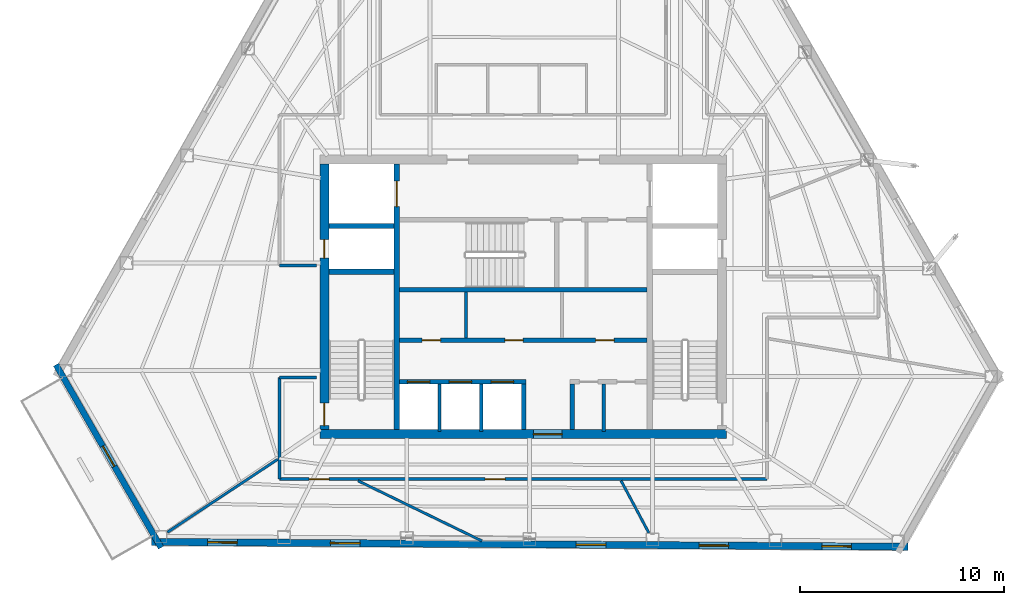
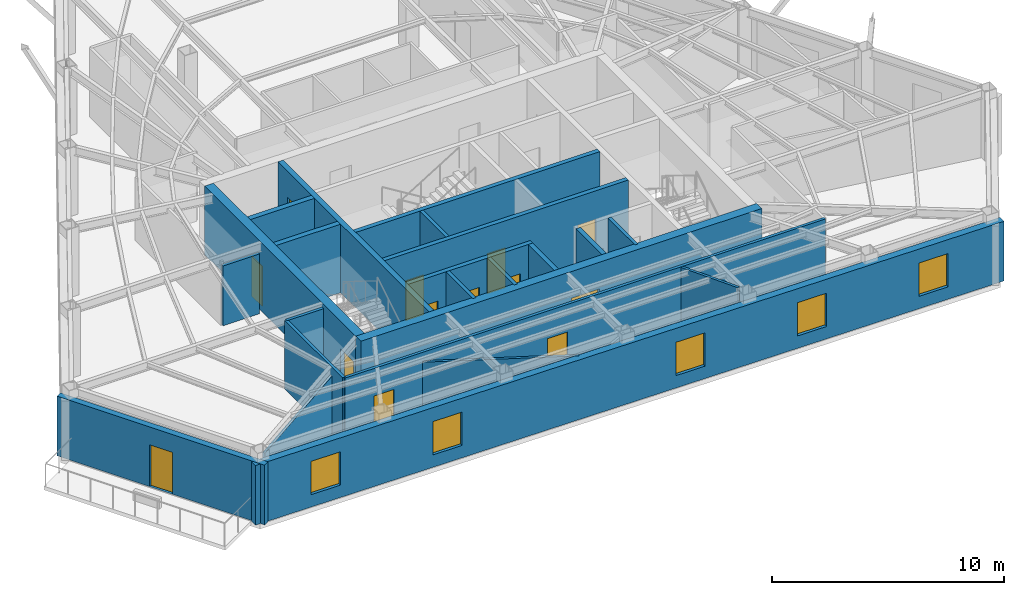
# One storey, part 7 of 11: 23 walls, 13 doors, 5 windows, 18 openings.
"""IFC4 building model written with IfcOpenShell, lengths in metres."""

from ifc_helpers import new_model, si_unit, direction, frame, frame_2d, origin, place, context, subcontext, project, spatial, rectangle, extrude, material, layer, layer_set, type_object, element, fill, save


model = new_model("IFC4")

# Units and contexts
model_context = context("Model", 3, precision=1e-05, world=origin(), true_north=direction((0.0, 1.0)))
body_context = subcontext(model_context, "Body", "Model", "MODEL_VIEW")
ifc_project = project(units=[si_unit("LENGTHUNIT", "METRE"), si_unit("AREAUNIT", "SQUARE_METRE"), si_unit("VOLUMEUNIT", "CUBIC_METRE"), si_unit("PLANEANGLEUNIT", "RADIAN"), si_unit("MASSUNIT", "GRAM", prefix="KILO")], contexts=[model_context])

# Site, building, storey
site_placement = place(None, origin())
site = spatial("IfcSite", under=ifc_project, at=site_placement, CompositionType="ELEMENT")
building_placement = place(site_placement, origin())
building = spatial("IfcBuilding", under=site, at=building_placement, Name="Kavelnor Concourse Tower", CompositionType="ELEMENT")
storey_placement = place(building_placement, frame((0.0, 0.0, 172.699951171875)))
storey = spatial("IfcBuildingStorey", under=building, at=storey_placement, Name="L43", CompositionType="ELEMENT", Elevation=172.699951171875)

# Wall, opening, door
ifc_material_1 = material(Name="Concrete C50/60", Category="concrete")
ifc_layer_1 = layer(ifc_material_1, 0.43994140625, Name="Concrete C50/60")
ifc_layer_set_1 = layer_set([ifc_layer_1], Name="Concrete C50/60")
wall_type_1 = type_object("IfcWallType", Name="WL-CORE-Z3-440", PredefinedType="SOLIDWALL", material=ifc_layer_set_1)
wall_1_placement = place(storey_placement, frame((28.0400390625, 9.3798828125, 0.0), z_axis=(0.0, 0.0, 1.0), x_axis=(1.0, 0.0, 0.0)))
wall_1 = element("IfcWall", 1, at=wall_1_placement, inside=storey, type_object=wall_type_1, Name="L43 Central Core South Shear Wall", PredefinedType="SOLIDWALL", context=body_context, shape_type="SweptSolid", body=[
    extrude(rectangle(XDim=19.919921875, YDim=0.43994140625, at=frame_2d((9.9599609375, 0.0))), origin(), (0.0, 0.0, 1.0), 3.60009765625),
])
opening_1_placement = place(wall_1_placement, frame((10.4599609375, 0.0, 0.0)))
opening_1 = element("IfcOpeningElement", 2, at=opening_1_placement, cuts=wall_1, Name="Opening SD-140", PredefinedType="OPENING", context=body_context, shape_type="SweptSolid", body=[
    extrude(rectangle(XDim=1.39990234375, YDim=2.199951171875, at=frame_2d((0.699951171875, 1.10009765625))), frame((0.0, 0.22998046875, 0.0), z_axis=(0.0, -1.0, 0.0), x_axis=(1.0, 0.0, 0.0)), (0.0, 0.0, 1.0), 0.4599609375),
])
ifc_material_2 = material(Name="Solid-core hardwood timber", Category="wood")
door_type_1 = type_object("IfcDoorType", Name="DR-SUITE-ENTRY-1400", OperationType="NOTDEFINED", PredefinedType="DOOR", material=ifc_material_2)
door_1_placement = place(opening_1_placement, origin())
door_1 = element("IfcDoor", 3, at=door_1_placement, inside=storey, type_object=door_type_1, Name="L43 Passenger Lift Lobby Entry Door", OperationType="SINGLE_SWING_RIGHT", OverallHeight=2.199951171875, OverallWidth=1.39990234375, PredefinedType="DOOR", context=body_context, shape_type="SweptSolid", body=[
    extrude(rectangle(XDim=1.39990234375, YDim=2.199951171875, at=frame_2d((0.699951171875, 1.10009765625))), frame((0.0, 0.02490234375, 0.0), z_axis=(0.0, -1.0, 0.0), x_axis=(1.0, 0.0, 0.0)), (0.0, 0.0, 1.0), 0.050048828125),
])
fill(opening_1, door_1)

# Wall, openings, doors
wall_2_placement = place(storey_placement, frame((28.260009765625, 9.60009765625, 0.0), z_axis=(0.0, 0.0, 1.0), x_axis=(0.0, 1.0, 0.0)))
wall_2 = element("IfcWall", 4, at=wall_2_placement, inside=storey, type_object=wall_type_1, Name="L43 Central Core West Shear Wall", PredefinedType="SOLIDWALL", context=body_context, shape_type="SweptSolid", body=[
    extrude(rectangle(XDim=13.0, YDim=0.43994140625, at=frame_2d((6.5, 0.0))), origin(), (0.0, 0.0, 1.0), 3.60009765625),
])
opening_2_placement = place(wall_2_placement, frame((0.199951171875, 0.0, 0.0)))
opening_2 = element("IfcOpeningElement", 5, at=opening_2_placement, cuts=wall_2, Name="Opening FD-110", PredefinedType="OPENING", context=body_context, shape_type="SweptSolid", body=[
    extrude(rectangle(XDim=1.10009765625, YDim=2.14990234375, at=frame_2d((0.550048828125, 1.074951171875))), frame((0.0, 0.22998046875, 0.0), z_axis=(0.0, -1.0, 0.0), x_axis=(1.0, 0.0, 0.0)), (0.0, 0.0, 1.0), 0.4599609375),
])
opening_3_placement = place(wall_2_placement, frame((8.39990234375, 0.0, 0.0)))
opening_3 = element("IfcOpeningElement", 6, at=opening_3_placement, cuts=wall_2, Name="Opening FD-090", PredefinedType="OPENING", context=body_context, shape_type="SweptSolid", body=[
    extrude(rectangle(XDim=0.89990234375, YDim=2.10009765625, at=frame_2d((0.449951171875, 1.050048828125))), frame((0.0, 0.22998046875, 0.0), z_axis=(0.0, -1.0, 0.0), x_axis=(1.0, 0.0, 0.0)), (0.0, 0.0, 1.0), 0.4599609375),
])
ifc_material_3 = material(Name="Steel Grade 350", Category="steel")
door_type_2 = type_object("IfcDoorType", Name="DR-RISER-FIRE-900", OperationType="NOTDEFINED", PredefinedType="DOOR", material=ifc_material_3)
door_2_placement = place(opening_3_placement, origin())
door_2 = element("IfcDoor", 7, at=door_2_placement, inside=storey, type_object=door_type_2, Name="L43 West Riser Access Door", OperationType="SINGLE_SWING_RIGHT", OverallHeight=2.10009765625, OverallWidth=0.89990234375, PredefinedType="DOOR", context=body_context, shape_type="SweptSolid", body=[
    extrude(rectangle(XDim=0.89990234375, YDim=2.10009765625, at=frame_2d((0.449951171875, 1.050048828125))), frame((0.0, 0.02490234375, 0.0), z_axis=(0.0, -1.0, 0.0), x_axis=(1.0, 0.0, 0.0)), (0.0, 0.0, 1.0), 0.050048828125),
])
fill(opening_3, door_2)
door_type_3 = type_object("IfcDoorType", Name="DR-STAIR-FIRE-1100", OperationType="NOTDEFINED", PredefinedType="DOOR", material=ifc_material_3)
door_3_placement = place(opening_2_placement, origin())
door_3 = element("IfcDoor", 8, at=door_3_placement, inside=storey, type_object=door_type_3, Name="L43 Stair ST1 Fire Door", OperationType="SINGLE_SWING_LEFT", OverallHeight=2.14990234375, OverallWidth=1.10009765625, PredefinedType="DOOR", context=body_context, shape_type="SweptSolid", body=[
    extrude(rectangle(XDim=1.10009765625, YDim=2.14990234375, at=frame_2d((0.550048828125, 1.074951171875))), frame((0.0, 0.02490234375, 0.0), z_axis=(0.0, -1.0, 0.0), x_axis=(1.0, 0.0, 0.0)), (0.0, 0.0, 1.0), 0.050048828125),
])
fill(opening_2, door_3)

# Wall, opening, door
ifc_material_4 = material(Name="Buff ironspot clay face brick masonry", Category="masonry")
ifc_layer_2 = layer(ifc_material_4, 0.300048828125, Name="Buff ironspot clay face brick masonry")
ifc_layer_set_2 = layer_set([ifc_layer_2], Name="Buff ironspot clay face brick masonry")
wall_type_2 = type_object("IfcWallType", Name="WL-EXT-BUFF-BRICK-FOLD-300", PredefinedType="STANDARD", material=ifc_layer_set_2)
wall_3_placement = place(storey_placement, frame((20.271484375, 3.82568359375, 0.0), z_axis=(0.0, 0.0, 1.0), x_axis=(-0.497981468071, 0.867187671417, 0.0)))
wall_3 = element("IfcWall", 9, at=wall_3_placement, inside=storey, type_object=wall_type_2, Name="L43 Exterior Brick Facade Wall E2", PredefinedType="STANDARD", context=body_context, shape_type="SweptSolid", body=[
    extrude(rectangle(XDim=10.324951171875, YDim=0.300048828125, at=frame_2d((5.16259765625, 0.0))), origin(), (0.0, 0.0, 1.0), 3.132080078125),
])
opening_4_placement = place(wall_3_placement, frame((4.58740234375, 0.0, 0.0)))
opening_4 = element("IfcOpeningElement", 10, at=opening_4_placement, cuts=wall_3, Name="Opening TD-115", PredefinedType="OPENING", context=body_context, shape_type="SweptSolid", body=[
    extrude(rectangle(XDim=1.14990234375, YDim=2.199951171875, at=frame_2d((0.574951171875, 1.10009765625))), frame((0.0, 0.16015625, 0.0), z_axis=(0.0, -1.0, 0.0), x_axis=(1.0, 0.0, 0.0)), (0.0, 0.0, 1.0), 0.320068359375),
])
ifc_material_5 = material(Name="Anodised aluminium 6063-T6", Category="aluminium")
door_type_4 = type_object("IfcDoorType", Name="DR-TERRACE-EXT-1150", OperationType="NOTDEFINED", PredefinedType="DOOR", material=ifc_material_5)
door_4_placement = place(opening_4_placement, origin())
door_4 = element("IfcDoor", 11, at=door_4_placement, inside=storey, type_object=door_type_4, Name="L43 Spiral Sky Terrace Access Door", OperationType="SINGLE_SWING_RIGHT", OverallHeight=2.199951171875, OverallWidth=1.14990234375, PredefinedType="DOOR", context=body_context, shape_type="SweptSolid", body=[
    extrude(rectangle(XDim=1.14990234375, YDim=2.199951171875, at=frame_2d((0.574951171875, 1.10009765625))), frame((0.0, 0.02490234375, 0.0), z_axis=(0.0, -1.0, 0.0), x_axis=(1.0, 0.0, 0.0)), (0.0, 0.0, 1.0), 0.050048828125),
])
fill(opening_4, door_4)

# Wall, openings, windows
ifc_material_6 = material(Name="Red-ochre clay face brick masonry", Category="masonry")
ifc_layer_3 = layer(ifc_material_6, 0.35009765625, Name="Red-ochre clay face brick masonry")
ifc_layer_set_3 = layer_set([ifc_layer_3], Name="Red-ochre clay face brick masonry")
wall_type_3 = type_object("IfcWallType", Name="WL-EXT-RED-BRICK-PIER-350", PredefinedType="STANDARD", material=ifc_layer_set_3)
wall_4_placement = place(storey_placement, frame((56.834716796875, 3.868896484375, 0.0), z_axis=(0.0, 0.0, 1.0), x_axis=(-0.999979523666, 0.006399394434, 0.0)))
wall_4 = element("IfcWall", 12, at=wall_4_placement, inside=storey, type_object=wall_type_3, Name="L43 Exterior Brick Facade Wall E3", PredefinedType="STANDARD", context=body_context, shape_type="SweptSolid", body=[
    extrude(rectangle(XDim=37.044189453125, YDim=0.35009765625, at=frame_2d((18.52197265625, 0.0))), origin(), (0.0, 0.0, 1.0), 3.132080078125),
])
opening_5_placement = place(wall_4_placement, frame((32.836181640625, 0.0, 0.64990234375)))
opening_5 = element("IfcOpeningElement", 13, at=opening_5_placement, cuts=wall_4, Name="Opening W-03", PredefinedType="OPENING", context=body_context, shape_type="SweptSolid", body=[
    extrude(rectangle(XDim=1.449951171875, YDim=1.75, at=frame_2d((0.72509765625, 0.875))), frame((0.0, 0.18505859375, 0.0), z_axis=(0.0, -1.0, 0.0), x_axis=(1.0, 0.0, 0.0)), (0.0, 0.0, 1.0), 0.3701171875),
])
opening_6_placement = place(wall_4_placement, frame((26.82177734375, 0.0, 0.64990234375)))
opening_6 = element("IfcOpeningElement", 14, at=opening_6_placement, cuts=wall_4, Name="Opening W-03", PredefinedType="OPENING", context=body_context, shape_type="SweptSolid", body=[
    extrude(rectangle(XDim=1.449951171875, YDim=1.75, at=frame_2d((0.72509765625, 0.875))), frame((0.0, 0.18505859375, 0.0), z_axis=(0.0, -1.0, 0.0), x_axis=(1.0, 0.0, 0.0)), (0.0, 0.0, 1.0), 0.3701171875),
])
opening_7_placement = place(wall_4_placement, frame((14.79296875, 0.0, 0.64990234375)))
opening_7 = element("IfcOpeningElement", 15, at=opening_7_placement, cuts=wall_4, Name="Opening W-03", PredefinedType="OPENING", context=body_context, shape_type="SweptSolid", body=[
    extrude(rectangle(XDim=1.449951171875, YDim=1.75, at=frame_2d((0.72509765625, 0.875))), frame((0.0, 0.18505859375, 0.0), z_axis=(0.0, -1.0, 0.0), x_axis=(1.0, 0.0, 0.0)), (0.0, 0.0, 1.0), 0.3701171875),
])
opening_8_placement = place(wall_4_placement, frame((8.778564453125, 0.0, 0.64990234375)))
opening_8 = element("IfcOpeningElement", 16, at=opening_8_placement, cuts=wall_4, Name="Opening W-03", PredefinedType="OPENING", context=body_context, shape_type="SweptSolid", body=[
    extrude(rectangle(XDim=1.449951171875, YDim=1.75, at=frame_2d((0.72509765625, 0.875))), frame((0.0, 0.18505859375, 0.0), z_axis=(0.0, -1.0, 0.0), x_axis=(1.0, 0.0, 0.0)), (0.0, 0.0, 1.0), 0.3701171875),
])
opening_9_placement = place(wall_4_placement, frame((2.76416015625, 0.0, 0.64990234375)))
opening_9 = element("IfcOpeningElement", 17, at=opening_9_placement, cuts=wall_4, Name="Opening W-03", PredefinedType="OPENING", context=body_context, shape_type="SweptSolid", body=[
    extrude(rectangle(XDim=1.449951171875, YDim=1.75, at=frame_2d((0.72509765625, 0.875))), frame((0.0, 0.18505859375, 0.0), z_axis=(0.0, -1.0, 0.0), x_axis=(1.0, 0.0, 0.0)), (0.0, 0.0, 1.0), 0.3701171875),
])
ifc_material_7 = material(Name="Double low-E argon insulated glazing", Category="glass")
window_type = type_object("IfcWindowType", Name="WIN-PIER-Z3-1500", PartitioningType="SINGLE_PANEL", PredefinedType="WINDOW", material=ifc_material_7)
window_1_placement = place(opening_5_placement, origin())
window_1 = element("IfcWindow", 18, at=window_1_placement, inside=storey, type_object=window_type, Name="L43 Deep-Set Brick Pier Window F1-B0", OverallHeight=1.75, OverallWidth=1.449951171875, PartitioningType="SINGLE_PANEL", PredefinedType="WINDOW", context=body_context, shape_type="SweptSolid", body=[
    extrude(rectangle(XDim=1.449951171875, YDim=1.75, at=frame_2d((0.72509765625, 0.875))), frame((0.0, 0.030029296875, 0.0), z_axis=(0.0, -1.0, 0.0), x_axis=(1.0, 0.0, 0.0)), (0.0, 0.0, 1.0), 0.06005859375),
])
fill(opening_5, window_1)
window_2_placement = place(opening_6_placement, origin())
window_2 = element("IfcWindow", 19, at=window_2_placement, inside=storey, type_object=window_type, Name="L43 Deep-Set Brick Pier Window F1-B1", OverallHeight=1.75, OverallWidth=1.449951171875, PartitioningType="SINGLE_PANEL", PredefinedType="WINDOW", context=body_context, shape_type="SweptSolid", body=[
    extrude(rectangle(XDim=1.449951171875, YDim=1.75, at=frame_2d((0.72509765625, 0.875))), frame((0.0, 0.030029296875, 0.0), z_axis=(0.0, -1.0, 0.0), x_axis=(1.0, 0.0, 0.0)), (0.0, 0.0, 1.0), 0.06005859375),
])
fill(opening_6, window_2)
window_3_placement = place(opening_7_placement, origin())
window_3 = element("IfcWindow", 20, at=window_3_placement, inside=storey, type_object=window_type, Name="L43 Deep-Set Brick Pier Window F1-B3", OverallHeight=1.75, OverallWidth=1.449951171875, PartitioningType="SINGLE_PANEL", PredefinedType="WINDOW", context=body_context, shape_type="SweptSolid", body=[
    extrude(rectangle(XDim=1.449951171875, YDim=1.75, at=frame_2d((0.72509765625, 0.875))), frame((0.0, 0.030029296875, 0.0), z_axis=(0.0, -1.0, 0.0), x_axis=(1.0, 0.0, 0.0)), (0.0, 0.0, 1.0), 0.06005859375),
])
fill(opening_7, window_3)
window_4_placement = place(opening_8_placement, origin())
window_4 = element("IfcWindow", 21, at=window_4_placement, inside=storey, type_object=window_type, Name="L43 Deep-Set Brick Pier Window F1-B4", OverallHeight=1.75, OverallWidth=1.449951171875, PartitioningType="SINGLE_PANEL", PredefinedType="WINDOW", context=body_context, shape_type="SweptSolid", body=[
    extrude(rectangle(XDim=1.449951171875, YDim=1.75, at=frame_2d((0.72509765625, 0.875))), frame((0.0, 0.030029296875, 0.0), z_axis=(0.0, -1.0, 0.0), x_axis=(1.0, 0.0, 0.0)), (0.0, 0.0, 1.0), 0.06005859375),
])
fill(opening_8, window_4)
window_5_placement = place(opening_9_placement, origin())
window_5 = element("IfcWindow", 22, at=window_5_placement, inside=storey, type_object=window_type, Name="L43 Deep-Set Brick Pier Window F1-B5", OverallHeight=1.75, OverallWidth=1.449951171875, PartitioningType="SINGLE_PANEL", PredefinedType="WINDOW", context=body_context, shape_type="SweptSolid", body=[
    extrude(rectangle(XDim=1.449951171875, YDim=1.75, at=frame_2d((0.72509765625, 0.875))), frame((0.0, 0.030029296875, 0.0), z_axis=(0.0, -1.0, 0.0), x_axis=(1.0, 0.0, 0.0)), (0.0, 0.0, 1.0), 0.06005859375),
])
fill(opening_9, window_5)

# Wall
ifc_material_8 = material(Name="Gypsum plasterboard on light-gauge steel studs", Category="steel")
ifc_layer_4 = layer(ifc_material_8, 0.14501953125, Name="Gypsum plasterboard on light-gauge steel studs")
ifc_layer_set_4 = layer_set([ifc_layer_4], Name="Gypsum plasterboard on light-gauge steel studs")
wall_type_4 = type_object("IfcWallType", Name="WL-INT-CORR-145", PredefinedType="PARTITIONING", material=ifc_layer_set_4)
wall_5_placement = place(storey_placement, frame((27.8798828125, 17.64990234375, 0.0), z_axis=(0.0, 0.0, 1.0), x_axis=(-1.0, 0.0, 0.0)))
element("IfcWall", 23, at=wall_5_placement, inside=storey, type_object=wall_type_4, Name="L43 Corridor Wall WL-L43-CR-01", PredefinedType="PARTITIONING", context=body_context, shape_type="SweptSolid", body=[
    extrude(rectangle(XDim=1.81982421875, YDim=0.14501953125, at=frame_2d((0.909912109375, 0.0))), origin(), (0.0, 0.0, 1.0), 3.14111328125),
])

# Wall, openings, doors
wall_6_placement = place(storey_placement, frame((49.93994140625, 7.179931640625, 0.0), z_axis=(0.0, 0.0, 1.0), x_axis=(-1.0, 0.0, 0.0)))
wall_6 = element("IfcWall", 24, at=wall_6_placement, inside=storey, type_object=wall_type_4, Name="L43 Corridor Wall WL-L43-CR-17", PredefinedType="PARTITIONING", context=body_context, shape_type="SweptSolid", body=[
    extrude(rectangle(XDim=23.8798828125, YDim=0.14501953125, at=frame_2d((11.93994140625, 0.0))), origin(), (0.0, 0.0, 1.0), 3.60009765625),
])
opening_10_placement = place(wall_6_placement, frame((12.8271484375, 0.0, 0.0)))
opening_10 = element("IfcOpeningElement", 25, at=opening_10_placement, cuts=wall_6, Name="Opening OD-098", PredefinedType="OPENING", context=body_context, shape_type="SweptSolid", body=[
    extrude(rectangle(XDim=0.97998046875, YDim=2.14990234375, at=frame_2d((0.489990234375, 1.074951171875))), frame((0.0, 0.08251953125, 0.0), z_axis=(0.0, -1.0, 0.0), x_axis=(1.0, 0.0, 0.0)), (0.0, 0.0, 1.0), 0.1650390625),
])
opening_11_placement = place(wall_6_placement, frame((21.444091796875, 0.0, 0.0)))
opening_11 = element("IfcOpeningElement", 26, at=opening_11_placement, cuts=wall_6, Name="Opening OD-098", PredefinedType="OPENING", context=body_context, shape_type="SweptSolid", body=[
    extrude(rectangle(XDim=0.97998046875, YDim=2.14990234375, at=frame_2d((0.489990234375, 1.074951171875))), frame((0.0, 0.08251953125, 0.0), z_axis=(0.0, -1.0, 0.0), x_axis=(1.0, 0.0, 0.0)), (0.0, 0.0, 1.0), 0.1650390625),
])
door_type_5 = type_object("IfcDoorType", Name="DR-OFFICE-980", OperationType="NOTDEFINED", PredefinedType="DOOR", material=ifc_material_2)
door_5_placement = place(opening_10_placement, origin())
door_5 = element("IfcDoor", 27, at=door_5_placement, inside=storey, type_object=door_type_5, Name="L43 Client Concierge 04 Door", OperationType="SINGLE_SWING_RIGHT", OverallHeight=2.14990234375, OverallWidth=0.97998046875, PredefinedType="DOOR", context=body_context, shape_type="SweptSolid", body=[
    extrude(rectangle(XDim=0.97998046875, YDim=2.14990234375, at=frame_2d((0.489990234375, 1.074951171875))), frame((0.0, 0.02490234375, 0.0), z_axis=(0.0, -1.0, 0.0), x_axis=(1.0, 0.0, 0.0)), (0.0, 0.0, 1.0), 0.050048828125),
])
fill(opening_10, door_5)
door_6_placement = place(opening_11_placement, origin())
door_6 = element("IfcDoor", 28, at=door_6_placement, inside=storey, type_object=door_type_5, Name="L43 Client Concierge 05 Door", OperationType="SINGLE_SWING_LEFT", OverallHeight=2.14990234375, OverallWidth=0.97998046875, PredefinedType="DOOR", context=body_context, shape_type="SweptSolid", body=[
    extrude(rectangle(XDim=0.97998046875, YDim=2.14990234375, at=frame_2d((0.489990234375, 1.074951171875))), frame((0.0, 0.02490234375, 0.0), z_axis=(0.0, -1.0, 0.0), x_axis=(1.0, 0.0, 0.0)), (0.0, 0.0, 1.0), 0.050048828125),
])
fill(opening_11, door_6)

# Walls
wall_7_placement = place(storey_placement, frame((26.06005859375, 7.179931640625, 0.0), z_axis=(0.0, 0.0, 1.0), x_axis=(0.0, 1.0, 0.0)))
element("IfcWall", 29, at=wall_7_placement, inside=storey, type_object=wall_type_4, Name="L43 Corridor Wall WL-L43-CR-18", PredefinedType="PARTITIONING", context=body_context, shape_type="SweptSolid", body=[
    extrude(rectangle(XDim=4.969970703125, YDim=0.14501953125, at=frame_2d((2.48486328125, 0.0))), origin(), (0.0, 0.0, 1.0), 3.60009765625),
])
wall_8_placement = place(storey_placement, frame((26.06005859375, 12.14990234375, 0.0), z_axis=(0.0, 0.0, 1.0), x_axis=(1.0, 0.0, 0.0)))
element("IfcWall", 30, at=wall_8_placement, inside=storey, type_object=wall_type_4, Name="L43 Corridor Wall WL-L43-CR-19", PredefinedType="PARTITIONING", context=body_context, shape_type="SweptSolid", body=[
    extrude(rectangle(XDim=1.81982421875, YDim=0.14501953125, at=frame_2d((0.909912109375, 0.0))), origin(), (0.0, 0.0, 1.0), 3.60009765625),
])
ifc_layer_5 = layer(ifc_material_8, 0.1650390625, Name="Gypsum plasterboard on light-gauge steel studs")
ifc_layer_set_5 = layer_set([ifc_layer_5], Name="Gypsum plasterboard on light-gauge steel studs")
wall_type_5 = type_object("IfcWallType", Name="WL-INT-FIRE-165", PredefinedType="PARTITIONING", material=ifc_layer_set_5)
for number, where, z_axis, x_axis, name in (
    (31, (33.89990234375, 9.52001953125, 0.0), (0.0, 0.0, 1.0), (0.0, 1.0, 0.0), "L43 Lift Shaft Divider LP7"),
    (32, (35.949951171875, 9.52001953125, 0.0), (0.0, 0.0, 1.0), (0.0, 1.0, 0.0), "L43 Lift Shaft Divider LP8"),
):
    element("IfcWall", number, at=place(storey_placement, frame(where, z_axis=z_axis, x_axis=x_axis)), inside=storey, type_object=wall_type_5, Name=name, PredefinedType="PARTITIONING", context=body_context, shape_type="SweptSolid", body=[
        extrude(rectangle(XDim=2.320068359375, YDim=0.1650390625, at=frame_2d((1.16015625, 0.0))), origin(), (0.0, 0.0, 1.0), 3.60009765625),
    ])
wall_9_placement = place(storey_placement, frame((35.199951171875, 14.10009765625, 0.0), z_axis=(0.0, 0.0, 1.0), x_axis=(0.0, 1.0, 0.0)))
element("IfcWall", 33, at=wall_9_placement, inside=storey, type_object=wall_type_5, Name="L43 Reclaimed Core Partition A", PredefinedType="PARTITIONING", context=body_context, shape_type="SweptSolid", body=[
    extrude(rectangle(XDim=2.239990234375, YDim=0.1650390625, at=frame_2d((1.1201171875, 0.0))), origin(), (0.0, 0.0, 1.0), 3.60009765625),
])
wall_10_placement = place(storey_placement, frame((41.949951171875, 9.52001953125, 0.0), z_axis=(0.0, 0.0, 1.0), x_axis=(0.0, 1.0, 0.0)))
element("IfcWall", 34, at=wall_10_placement, inside=storey, type_object=wall_type_5, Name="L43 Core WC Partition", PredefinedType="PARTITIONING", context=body_context, shape_type="SweptSolid", body=[
    extrude(rectangle(XDim=2.320068359375, YDim=0.1650390625, at=frame_2d((1.16015625, 0.0))), origin(), (0.0, 0.0, 1.0), 3.60009765625),
])
ifc_layer_6 = layer(ifc_material_8, 0.125, Name="Gypsum plasterboard on light-gauge steel studs")
ifc_layer_set_6 = layer_set([ifc_layer_6], Name="Gypsum plasterboard on light-gauge steel studs")
wall_type_6 = type_object("IfcWallType", Name="WL-INT-SUITE-125", PredefinedType="PARTITIONING", material=ifc_layer_set_6)
wall_11_placement = place(storey_placement, frame((25.9794921875, 8.14990234375, 0.0), z_axis=(0.0, 0.0, 1.0), x_axis=(-0.834074265075, -0.551652173331, 0.0)))
element("IfcWall", 35, at=wall_11_placement, inside=storey, type_object=wall_type_6, Name="L43 Radial Suite Partition 02", PredefinedType="PARTITIONING", context=body_context, shape_type="SweptSolid", body=[
    extrude(rectangle(XDim=6.477294921875, YDim=0.125, at=frame_2d((3.23876953125, 0.0))), origin(), (0.0, 0.0, 1.0), 3.14111328125),
])
wall_12_placement = place(storey_placement, frame((42.792236328125, 7.099609375, 0.0), z_axis=(0.0, 0.0, 1.0), x_axis=(0.469961545261, -0.882686890112, 0.0)))
element("IfcWall", 36, at=wall_12_placement, inside=storey, type_object=wall_type_6, Name="L43 Radial Suite Partition 03", PredefinedType="PARTITIONING", context=body_context, shape_type="SweptSolid", body=[
    extrude(rectangle(XDim=2.89208984375, YDim=0.125, at=frame_2d((1.446044921875, 0.0))), origin(), (0.0, 0.0, 1.0), 3.60009765625),
])
wall_13_placement = place(storey_placement, frame((29.9130859375, 7.099609375, 0.0), z_axis=(0.0, 0.0, 1.0), x_axis=(0.899514253978, -0.436891413157, 0.0)))
element("IfcWall", 37, at=wall_13_placement, inside=storey, type_object=wall_type_6, Name="L43 Suite Subdivision Partition 03", PredefinedType="PARTITIONING", context=body_context, shape_type="SweptSolid", body=[
    extrude(rectangle(XDim=6.74609375, YDim=0.125, at=frame_2d((3.373046875, 0.0))), origin(), (0.0, 0.0, 1.0), 3.135009765625),
])
ifc_layer_7 = layer(ifc_material_1, 0.219970703125, Name="Concrete C50/60")
ifc_layer_set_7 = layer_set([ifc_layer_7], Name="Concrete C50/60")
wall_type_7 = type_object("IfcWallType", Name="WL-SHAFT-220", PredefinedType="SOLIDWALL", material=ifc_layer_set_7)
wall_14_placement = place(storey_placement, frame((31.93994140625, 16.449951171875, 0.0), z_axis=(0.0, 0.0, 1.0), x_axis=(1.0, 0.0, 0.0)))
element("IfcWall", 38, at=wall_14_placement, inside=storey, type_object=wall_type_7, Name="L43 Stair ST3 South Core Wall", PredefinedType="SOLIDWALL", context=body_context, shape_type="SweptSolid", body=[
    extrude(rectangle(XDim=12.1201171875, YDim=0.219970703125, at=frame_2d((6.06005859375, 0.0))), origin(), (0.0, 0.0, 1.0), 3.60009765625),
])

# Wall, openings, doors
wall_15_placement = place(storey_placement, frame((31.93994140625, 13.989990234375, 0.0), z_axis=(0.0, 0.0, 1.0), x_axis=(1.0, 0.0, 0.0)))
wall_15 = element("IfcWall", 39, at=wall_15_placement, inside=storey, type_object=wall_type_7, Name="L43 North Lift Row Shaft Wall", PredefinedType="SOLIDWALL", context=body_context, shape_type="SweptSolid", body=[
    extrude(rectangle(XDim=12.1201171875, YDim=0.219970703125, at=frame_2d((6.06005859375, 0.0))), origin(), (0.0, 0.0, 1.0), 3.60009765625),
])
opening_12_placement = place(wall_15_placement, frame((1.110107421875, 0.0, 0.0)))
opening_12 = element("IfcOpeningElement", 40, at=opening_12_placement, cuts=wall_15, Name="Opening FD-090", PredefinedType="OPENING", context=body_context, shape_type="SweptSolid", body=[
    extrude(rectangle(XDim=0.89990234375, YDim=2.10009765625, at=frame_2d((0.449951171875, 1.050048828125))), frame((0.0, 0.1201171875, 0.0), z_axis=(0.0, -1.0, 0.0), x_axis=(1.0, 0.0, 0.0)), (0.0, 0.0, 1.0), 0.239990234375),
])
opening_13_placement = place(wall_15_placement, frame((5.159912109375, 0.0, 0.0)))
opening_13 = element("IfcOpeningElement", 41, at=opening_13_placement, cuts=wall_15, Name="Opening FD-090", PredefinedType="OPENING", context=body_context, shape_type="SweptSolid", body=[
    extrude(rectangle(XDim=0.89990234375, YDim=2.10009765625, at=frame_2d((0.449951171875, 1.050048828125))), frame((0.0, 0.1201171875, 0.0), z_axis=(0.0, -1.0, 0.0), x_axis=(1.0, 0.0, 0.0)), (0.0, 0.0, 1.0), 0.239990234375),
])
opening_14_placement = place(wall_15_placement, frame((9.610107421875, 0.0, 0.0)))
opening_14 = element("IfcOpeningElement", 42, at=opening_14_placement, cuts=wall_15, Name="Opening FD-090", PredefinedType="OPENING", context=body_context, shape_type="SweptSolid", body=[
    extrude(rectangle(XDim=0.89990234375, YDim=2.10009765625, at=frame_2d((0.449951171875, 1.050048828125))), frame((0.0, 0.1201171875, 0.0), z_axis=(0.0, -1.0, 0.0), x_axis=(1.0, 0.0, 0.0)), (0.0, 0.0, 1.0), 0.239990234375),
])
door_7_placement = place(opening_12_placement, origin())
door_7 = element("IfcDoor", 43, at=door_7_placement, inside=storey, type_object=door_type_2, Name="L43 Reclaimed Core Door A", OperationType="SINGLE_SWING_RIGHT", OverallHeight=2.10009765625, OverallWidth=0.89990234375, PredefinedType="DOOR", context=body_context, shape_type="SweptSolid", body=[
    extrude(rectangle(XDim=0.89990234375, YDim=2.10009765625, at=frame_2d((0.449951171875, 1.050048828125))), frame((0.0, 0.02490234375, 0.0), z_axis=(0.0, -1.0, 0.0), x_axis=(1.0, 0.0, 0.0)), (0.0, 0.0, 1.0), 0.050048828125),
])
fill(opening_12, door_7)
door_8_placement = place(opening_13_placement, origin())
door_8 = element("IfcDoor", 44, at=door_8_placement, inside=storey, type_object=door_type_2, Name="L43 Reclaimed Core Door B", OperationType="SINGLE_SWING_LEFT", OverallHeight=2.10009765625, OverallWidth=0.89990234375, PredefinedType="DOOR", context=body_context, shape_type="SweptSolid", body=[
    extrude(rectangle(XDim=0.89990234375, YDim=2.10009765625, at=frame_2d((0.449951171875, 1.050048828125))), frame((0.0, 0.02490234375, 0.0), z_axis=(0.0, -1.0, 0.0), x_axis=(1.0, 0.0, 0.0)), (0.0, 0.0, 1.0), 0.050048828125),
])
fill(opening_13, door_8)
door_9_placement = place(opening_14_placement, origin())
door_9 = element("IfcDoor", 45, at=door_9_placement, inside=storey, type_object=door_type_2, Name="L43 Reclaimed Core Door C", OperationType="SINGLE_SWING_RIGHT", OverallHeight=2.10009765625, OverallWidth=0.89990234375, PredefinedType="DOOR", context=body_context, shape_type="SweptSolid", body=[
    extrude(rectangle(XDim=0.89990234375, YDim=2.10009765625, at=frame_2d((0.449951171875, 1.050048828125))), frame((0.0, 0.02490234375, 0.0), z_axis=(0.0, -1.0, 0.0), x_axis=(1.0, 0.0, 0.0)), (0.0, 0.0, 1.0), 0.050048828125),
])
fill(opening_14, door_9)

wall_16_placement = place(storey_placement, frame((31.93994140625, 11.949951171875, 0.0), z_axis=(0.0, 0.0, 1.0), x_axis=(1.0, 0.0, 0.0)))
wall_16 = element("IfcWall", 46, at=wall_16_placement, inside=storey, type_object=wall_type_7, Name="L43 High-Rise Lift Bank North Wall", PredefinedType="SOLIDWALL", context=body_context, shape_type="SweptSolid", body=[
    extrude(rectangle(XDim=6.18994140625, YDim=0.219970703125, at=frame_2d((3.094970703125, 0.0))), origin(), (0.0, 0.0, 1.0), 3.60009765625),
])
opening_15_placement = place(wall_16_placement, frame((0.385009765625, 0.0, 0.0)))
opening_15 = element("IfcOpeningElement", 47, at=opening_15_placement, cuts=wall_16, Name="Opening LD-110", PredefinedType="OPENING", context=body_context, shape_type="SweptSolid", body=[
    extrude(rectangle(XDim=1.10009765625, YDim=2.199951171875, at=frame_2d((0.550048828125, 1.10009765625))), frame((0.0, 0.1201171875, 0.0), z_axis=(0.0, -1.0, 0.0), x_axis=(1.0, 0.0, 0.0)), (0.0, 0.0, 1.0), 0.239990234375),
])
opening_16_placement = place(wall_16_placement, frame((2.43505859375, 0.0, 0.0)))
opening_16 = element("IfcOpeningElement", 48, at=opening_16_placement, cuts=wall_16, Name="Opening LD-110", PredefinedType="OPENING", context=body_context, shape_type="SweptSolid", body=[
    extrude(rectangle(XDim=1.10009765625, YDim=2.199951171875, at=frame_2d((0.550048828125, 1.10009765625))), frame((0.0, 0.1201171875, 0.0), z_axis=(0.0, -1.0, 0.0), x_axis=(1.0, 0.0, 0.0)), (0.0, 0.0, 1.0), 0.239990234375),
])
opening_17_placement = place(wall_16_placement, frame((4.485107421875, 0.0, 0.0)))
opening_17 = element("IfcOpeningElement", 49, at=opening_17_placement, cuts=wall_16, Name="Opening LD-110", PredefinedType="OPENING", context=body_context, shape_type="SweptSolid", body=[
    extrude(rectangle(XDim=1.10009765625, YDim=2.199951171875, at=frame_2d((0.550048828125, 1.10009765625))), frame((0.0, 0.1201171875, 0.0), z_axis=(0.0, -1.0, 0.0), x_axis=(1.0, 0.0, 0.0)), (0.0, 0.0, 1.0), 0.239990234375),
])
door_type_6 = type_object("IfcDoorType", Name="DR-LIFT-SLIDING-1100", OperationType="NOTDEFINED", PredefinedType="DOOR", material=ifc_material_3)
door_10_placement = place(opening_15_placement, origin())
door_10 = element("IfcDoor", 50, at=door_10_placement, inside=storey, type_object=door_type_6, Name="L43 Lift LP7 Landing Door", OperationType="DOUBLE_DOOR_SLIDING", OverallHeight=2.199951171875, OverallWidth=1.10009765625, PredefinedType="DOOR", context=body_context, shape_type="SweptSolid", body=[
    extrude(rectangle(XDim=1.10009765625, YDim=2.199951171875, at=frame_2d((0.550048828125, 1.10009765625))), frame((0.0, 0.02490234375, 0.0), z_axis=(0.0, -1.0, 0.0), x_axis=(1.0, 0.0, 0.0)), (0.0, 0.0, 1.0), 0.050048828125),
])
fill(opening_15, door_10)
door_11_placement = place(opening_16_placement, origin())
door_11 = element("IfcDoor", 51, at=door_11_placement, inside=storey, type_object=door_type_6, Name="L43 Lift LP8 Landing Door", OperationType="DOUBLE_DOOR_SLIDING", OverallHeight=2.199951171875, OverallWidth=1.10009765625, PredefinedType="DOOR", context=body_context, shape_type="SweptSolid", body=[
    extrude(rectangle(XDim=1.10009765625, YDim=2.199951171875, at=frame_2d((0.550048828125, 1.10009765625))), frame((0.0, 0.02490234375, 0.0), z_axis=(0.0, -1.0, 0.0), x_axis=(1.0, 0.0, 0.0)), (0.0, 0.0, 1.0), 0.050048828125),
])
fill(opening_16, door_11)
door_12_placement = place(opening_17_placement, origin())
door_12 = element("IfcDoor", 52, at=door_12_placement, inside=storey, type_object=door_type_6, Name="L43 Lift LP9 Landing Door", OperationType="DOUBLE_DOOR_SLIDING", OverallHeight=2.199951171875, OverallWidth=1.10009765625, PredefinedType="DOOR", context=body_context, shape_type="SweptSolid", body=[
    extrude(rectangle(XDim=1.10009765625, YDim=2.199951171875, at=frame_2d((0.550048828125, 1.10009765625))), frame((0.0, 0.02490234375, 0.0), z_axis=(0.0, -1.0, 0.0), x_axis=(1.0, 0.0, 0.0)), (0.0, 0.0, 1.0), 0.050048828125),
])
fill(opening_17, door_12)

# Walls
for number, where, z_axis, x_axis, name in (
    (53, (38.02001953125, 9.60009765625, 0.0), (0.0, 0.0, 1.0), (0.0, 1.0, 0.0), "L43 Lift Lobby Throat West Wall"),
    (54, (40.389892578125, 9.60009765625, 0.0), (0.0, 0.0, 1.0), (0.0, 1.0, 0.0), "L43 Lift Lobby Throat East Wall"),
):
    element("IfcWall", number, at=place(storey_placement, frame(where, z_axis=z_axis, x_axis=x_axis)), inside=storey, type_object=wall_type_7, Name=name, PredefinedType="SOLIDWALL", context=body_context, shape_type="SweptSolid", body=[
        extrude(rectangle(XDim=2.239990234375, YDim=0.219970703125, at=frame_2d((1.1201171875, 0.0))), origin(), (0.0, 0.0, 1.0), 3.60009765625),
    ])

# Wall, opening, door
ifc_layer_8 = layer(ifc_material_1, 0.260009765625, Name="Concrete C50/60")
ifc_layer_set_8 = layer_set([ifc_layer_8], Name="Concrete C50/60")
wall_type_8 = type_object("IfcWallType", Name="WL-SHAFT-260", PredefinedType="SHEAR", material=ifc_layer_set_8)
wall_17_placement = place(storey_placement, frame((31.81005859375, 9.60009765625, 0.0), z_axis=(0.0, 0.0, 1.0), x_axis=(0.0, 1.0, 0.0)))
wall_17 = element("IfcWall", 55, at=wall_17_placement, inside=storey, type_object=wall_type_8, Name="L43 Core West Wing Shear Wall", PredefinedType="SHEAR", context=body_context, shape_type="SweptSolid", body=[
    extrude(rectangle(XDim=13.0, YDim=0.260009765625, at=frame_2d((6.5, 0.0))), origin(), (0.0, 0.0, 1.0), 3.60009765625),
])
opening_18_placement = place(wall_17_placement, frame((10.925048828125, 0.0, 0.0)))
opening_18 = element("IfcOpeningElement", 56, at=opening_18_placement, cuts=wall_17, Name="Opening LD-125", PredefinedType="OPENING", context=body_context, shape_type="SweptSolid", body=[
    extrude(rectangle(XDim=1.25, YDim=2.25, at=frame_2d((0.625, 1.125))), frame((0.0, 0.14013671875, 0.0), z_axis=(0.0, -1.0, 0.0), x_axis=(1.0, 0.0, 0.0)), (0.0, 0.0, 1.0), 0.280029296875),
])
door_type_7 = type_object("IfcDoorType", Name="DR-LIFT-SLIDING-1250", OperationType="NOTDEFINED", PredefinedType="DOOR", material=ifc_material_3)
door_13_placement = place(opening_18_placement, origin())
door_13 = element("IfcDoor", 57, at=door_13_placement, inside=storey, type_object=door_type_7, Name="L43 Emergency Lift FL1 Landing Door", OperationType="DOUBLE_DOOR_SLIDING", OverallHeight=2.25, OverallWidth=1.25, PredefinedType="DOOR", context=body_context, shape_type="SweptSolid", body=[
    extrude(rectangle(XDim=1.25, YDim=2.25, at=frame_2d((0.625, 1.125))), frame((0.0, 0.02490234375, 0.0), z_axis=(0.0, -1.0, 0.0), x_axis=(1.0, 0.0, 0.0)), (0.0, 0.0, 1.0), 0.050048828125),
])
fill(opening_18, door_13)

# Walls
for number, where, z_axis, x_axis, name in (
    (58, (28.47998046875, 17.330078125, 0.0), (0.0, 0.0, 1.0), (1.0, 0.0, 0.0), "L43 Stair ST1 North Shaft Wall"),
    (59, (28.47998046875, 19.570068359375, 0.0), (0.0, 0.0, 1.0), (1.0, 0.0, 0.0), "L43 Emergency Lift FL1 South Shaft Wall"),
):
    element("IfcWall", number, at=place(storey_placement, frame(where, z_axis=z_axis, x_axis=x_axis)), inside=storey, type_object=wall_type_8, Name=name, PredefinedType="SHEAR", context=body_context, shape_type="SweptSolid", body=[
        extrude(rectangle(XDim=3.199951171875, YDim=0.260009765625, at=frame_2d((1.60009765625, 0.0))), origin(), (0.0, 0.0, 1.0), 3.60009765625),
    ])

save(model, "model.ifc")
